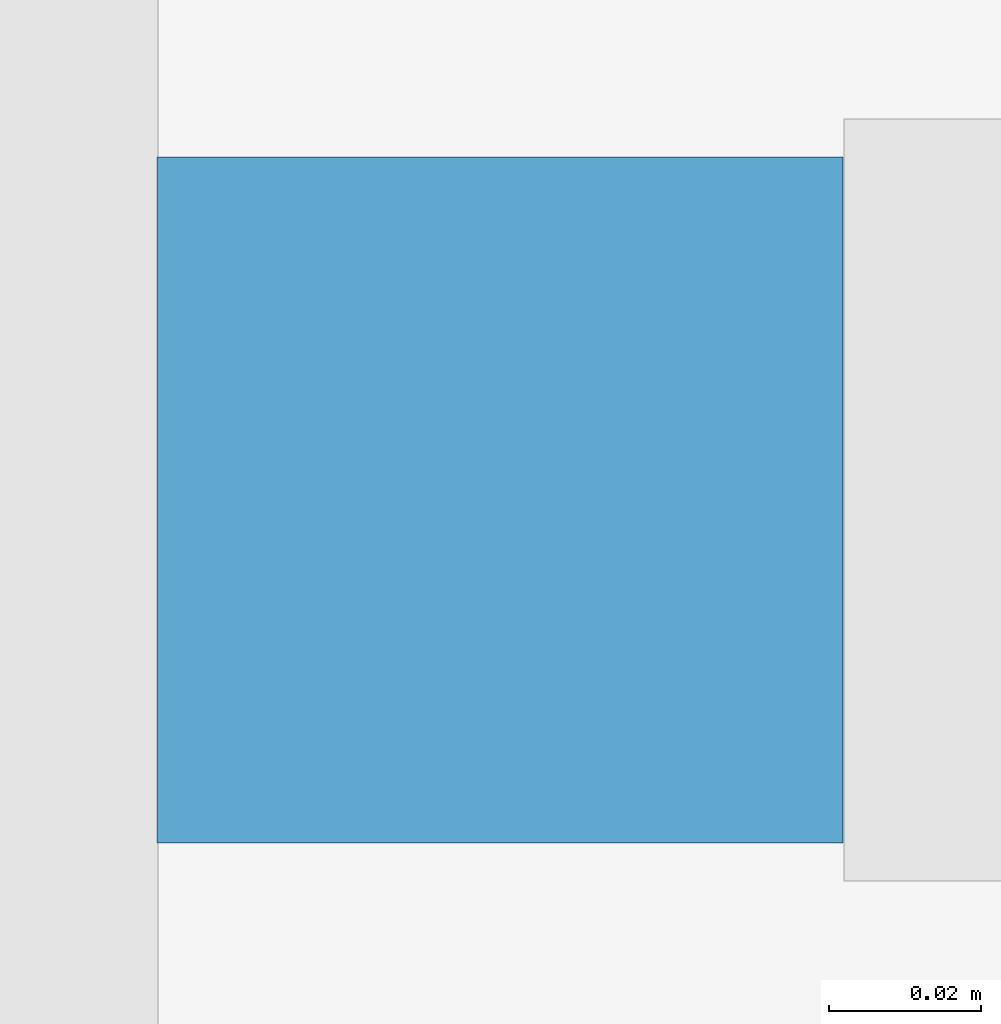
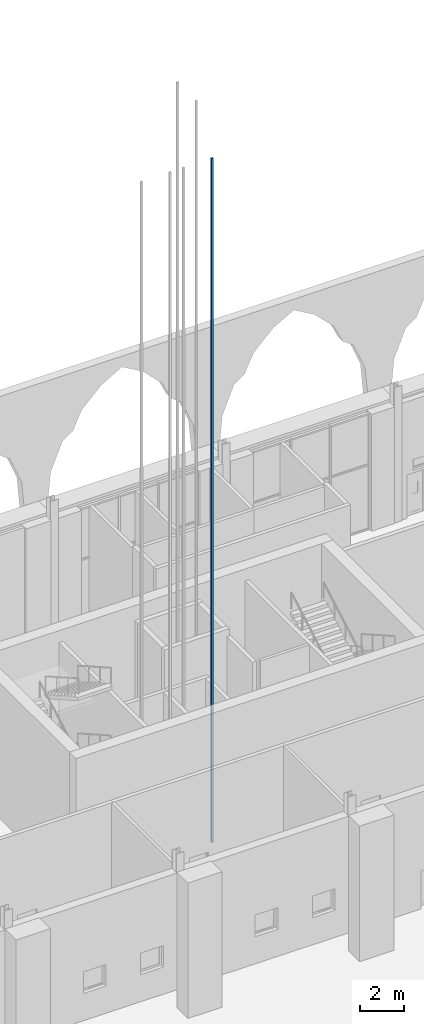
# One storey, part 149 of 250: 1 discrete accessory.
"""IFC4 building model written with IfcOpenShell, lengths in metres."""

from ifc_helpers import new_model, si_unit, direction, frame, origin, origin_2d, place, context, subcontext, project, spatial, rectangle, extrude, material, type_object, element, save


model = new_model("IFC4")

# Units and contexts
model_context = context("Model", 3, precision=1e-05, world=origin(), true_north=direction((0.0, 1.0)))
body_context = subcontext(model_context, "Body", "Model", "MODEL_VIEW")
ifc_project = project(units=[si_unit("LENGTHUNIT", "METRE"), si_unit("AREAUNIT", "SQUARE_METRE"), si_unit("VOLUMEUNIT", "CUBIC_METRE"), si_unit("PLANEANGLEUNIT", "RADIAN"), si_unit("MASSUNIT", "GRAM", prefix="KILO")], contexts=[model_context])

# Site, building, storey
site_placement = place(None, origin())
site = spatial("IfcSite", under=ifc_project, at=site_placement, CompositionType="ELEMENT")
building_placement = place(site_placement, origin())
building = spatial("IfcBuilding", under=site, at=building_placement, Name="Baradari Gate Terminus", CompositionType="ELEMENT")
storey_placement = place(building_placement, origin())
storey = spatial("IfcBuildingStorey", under=building, at=storey_placement, Name="L00", CompositionType="ELEMENT", Elevation=0.0)

# Discrete accessory
ifc_material = material(Name="Steel S355", Category="steel")
discrete_accessory_type = type_object("IfcDiscreteAccessoryType", Name="Lift guide rail GR-L1 90x90", PredefinedType="BRACKET", material=ifc_material)
discrete_accessory_placement = place(storey_placement, frame((35.169921875, 128.074951171875, -1.599853515625), z_axis=(0.0, 0.0, 1.0), x_axis=(1.0, 0.0, 0.0)))
element("IfcDiscreteAccessory", 1, at=discrete_accessory_placement, inside=storey, type_object=discrete_accessory_type, Name="Lift guide rail LT2 2", PredefinedType="BRACKET", context=body_context, shape_type="SweptSolid", body=[
    extrude(rectangle(XDim=0.090087890625, YDim=0.090087890625, at=origin_2d()), origin(), (0.0, 0.0, 1.0), 37.89990234375),
])

save(model, "model.ifc")
